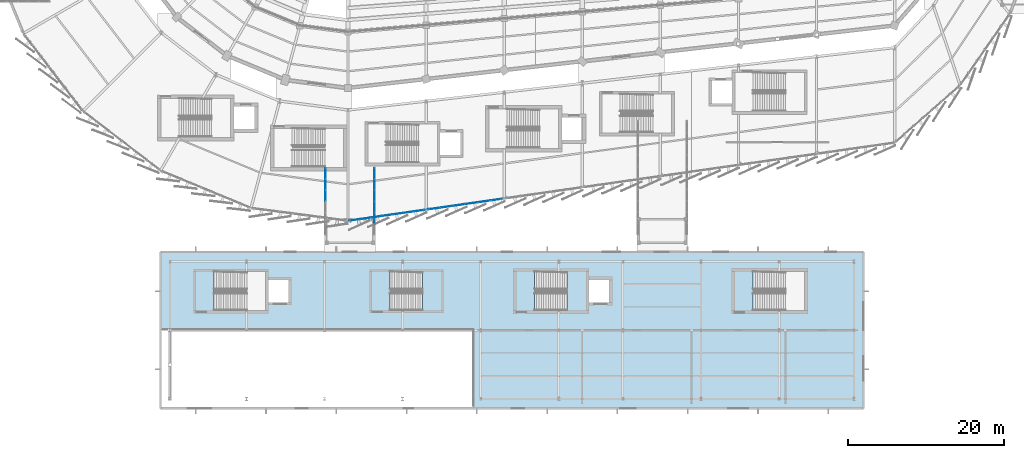
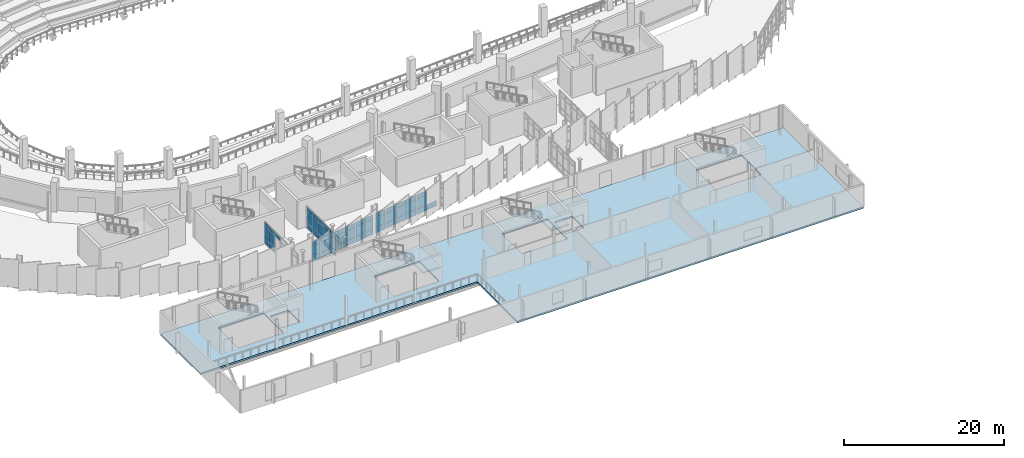
# One storey, part 86 of 134: 59 plates, 3 slabs, 6 elements without a shape of their own.
"""IFC4 building model written with IfcOpenShell, lengths in metres."""

from ifc_helpers import new_model, si_unit, direction, frame, origin, origin_2d, place, context, subcontext, project, spatial, polyline, rectangle, outline, extrude, material, layer, layer_set, type_object, element, aggregate, save


model = new_model("IFC4")

# Units and contexts
model_context = context("Model", 3, precision=1e-05, world=origin(), true_north=direction((0.0, 1.0)))
body_context = subcontext(model_context, "Body", "Model", "MODEL_VIEW")
ifc_project = project(units=[si_unit("LENGTHUNIT", "METRE"), si_unit("AREAUNIT", "SQUARE_METRE"), si_unit("VOLUMEUNIT", "CUBIC_METRE"), si_unit("PLANEANGLEUNIT", "RADIAN"), si_unit("MASSUNIT", "GRAM", prefix="KILO")], contexts=[model_context])

# Site, building, storey
site_placement = place(None, origin())
site = spatial("IfcSite", under=ifc_project, at=site_placement, CompositionType="ELEMENT")
building_placement = place(site_placement, origin())
building = spatial("IfcBuilding", under=site, at=building_placement, Name="Sohan Crest Arena", CompositionType="ELEMENT")
storey_placement = place(building_placement, frame((0.0, 0.0, 4.5)))
storey = spatial("IfcBuildingStorey", under=building, at=storey_placement, Name="L01", CompositionType="ELEMENT", Elevation=4.5)

# Curtain wall, plates
ifc_material_1 = material(Name="Thermally broken anodised aluminium", Category="aluminium")
ifc_layer_1 = layer(ifc_material_1, 0.179931640625, Name="Thermally broken anodised aluminium")
ifc_layer_set_1 = layer_set([ifc_layer_1], Name="Thermally broken anodised aluminium")
curtain_wall_type_1 = type_object("IfcCurtainWallType", Name="ARC-CW01", PredefinedType="NOTDEFINED", material=ifc_layer_set_1)
curtain_wall_1_placement = place(storey_placement, origin())
curtain_wall_1 = element("IfcCurtainWall", 1, at=curtain_wall_1_placement, inside=storey, type_object=curtain_wall_type_1, Name="Unitised curtain wall CW-030", PredefinedType="NOTDEFINED")
ifc_material_2 = material(Name="Low-E double-glazed insulated glass", Category="glass")
ifc_layer_2 = layer(ifc_material_2, 0.028076171875, Name="Low-E double-glazed insulated glass")
ifc_layer_set_2 = layer_set([ifc_layer_2], Name="Low-E double-glazed insulated glass")
plate_type_1 = type_object("IfcPlateType", Name="ARC-CNP01", PredefinedType="CURTAIN_PANEL", material=ifc_layer_set_2)
plate_1_placement = place(storey_placement, frame((98.839599609375, 30.11962890625, 0.06005859375), z_axis=(0.0, 0.0, 1.0), x_axis=(0.989931194722, 0.141549389674, 0.0)))
plate_1 = element("IfcPlate", 2, at=plate_1_placement, type_object=plate_type_1, Name="CW-030 panel 1.1", PredefinedType="CURTAIN_PANEL", context=body_context, shape_type="SweptSolid", body=[
    extrude(rectangle(XDim=1.31591796875, YDim=0.028076171875, at=origin_2d()), origin(), (0.0, 0.0, 1.0), 0.81005859375),
])
plate_2_placement = place(storey_placement, frame((98.839599609375, 30.11962890625, 0.929931640625), z_axis=(0.0, 0.0, 1.0), x_axis=(0.989931194722, 0.141549389674, 0.0)))
plate_2 = element("IfcPlate", 3, at=plate_2_placement, type_object=plate_type_1, Name="CW-030 panel 1.2", PredefinedType="CURTAIN_PANEL", context=body_context, shape_type="SweptSolid", body=[
    extrude(rectangle(XDim=1.31591796875, YDim=0.028076171875, at=origin_2d()), origin(), (0.0, 0.0, 1.0), 1.4599609375),
])
plate_3_placement = place(storey_placement, frame((98.839599609375, 30.11962890625, 2.44970703125), z_axis=(0.0, 0.0, 1.0), x_axis=(0.989931194722, 0.141549389674, 0.0)))
plate_3 = element("IfcPlate", 4, at=plate_3_placement, type_object=plate_type_1, Name="CW-030 panel 1.3", PredefinedType="CURTAIN_PANEL", context=body_context, shape_type="SweptSolid", body=[
    extrude(rectangle(XDim=1.31591796875, YDim=0.028076171875, at=origin_2d()), origin(), (0.0, 0.0, 1.0), 0.610107421875),
])
plate_4_placement = place(storey_placement, frame((100.216552734375, 30.31640625, 0.06005859375), z_axis=(0.0, 0.0, 1.0), x_axis=(0.989931194722, 0.141549389674, 0.0)))
plate_4 = element("IfcPlate", 5, at=plate_4_placement, type_object=plate_type_1, Name="CW-030 panel 2.1", PredefinedType="CURTAIN_PANEL", context=body_context, shape_type="SweptSolid", body=[
    extrude(rectangle(XDim=1.345947265625, YDim=0.028076171875, at=origin_2d()), origin(), (0.0, 0.0, 1.0), 0.81005859375),
])
plate_5_placement = place(storey_placement, frame((100.216552734375, 30.31640625, 0.929931640625), z_axis=(0.0, 0.0, 1.0), x_axis=(0.989931194722, 0.141549389674, 0.0)))
plate_5 = element("IfcPlate", 6, at=plate_5_placement, type_object=plate_type_1, Name="CW-030 panel 2.2", PredefinedType="CURTAIN_PANEL", context=body_context, shape_type="SweptSolid", body=[
    extrude(rectangle(XDim=1.345947265625, YDim=0.028076171875, at=origin_2d()), origin(), (0.0, 0.0, 1.0), 1.4599609375),
])
plate_6_placement = place(storey_placement, frame((100.216552734375, 30.31640625, 2.44970703125), z_axis=(0.0, 0.0, 1.0), x_axis=(0.989931194722, 0.141549389674, 0.0)))
plate_6 = element("IfcPlate", 7, at=plate_6_placement, type_object=plate_type_1, Name="CW-030 panel 2.3", PredefinedType="CURTAIN_PANEL", context=body_context, shape_type="SweptSolid", body=[
    extrude(rectangle(XDim=1.345947265625, YDim=0.028076171875, at=origin_2d()), origin(), (0.0, 0.0, 1.0), 0.610107421875),
])
plate_7_placement = place(storey_placement, frame((101.6083984375, 30.515380859375, 0.06005859375), z_axis=(0.0, 0.0, 1.0), x_axis=(0.989931194722, 0.141549389674, 0.0)))
plate_7 = element("IfcPlate", 8, at=plate_7_placement, type_object=plate_type_1, Name="CW-030 panel 3.1", PredefinedType="CURTAIN_PANEL", context=body_context, shape_type="SweptSolid", body=[
    extrude(rectangle(XDim=1.345947265625, YDim=0.028076171875, at=origin_2d()), origin(), (0.0, 0.0, 1.0), 0.81005859375),
])
plate_8_placement = place(storey_placement, frame((101.6083984375, 30.515380859375, 0.929931640625), z_axis=(0.0, 0.0, 1.0), x_axis=(0.989931194722, 0.141549389674, 0.0)))
plate_8 = element("IfcPlate", 9, at=plate_8_placement, type_object=plate_type_1, Name="CW-030 panel 3.2", PredefinedType="CURTAIN_PANEL", context=body_context, shape_type="SweptSolid", body=[
    extrude(rectangle(XDim=1.345947265625, YDim=0.028076171875, at=origin_2d()), origin(), (0.0, 0.0, 1.0), 1.4599609375),
])
plate_9_placement = place(storey_placement, frame((101.6083984375, 30.515380859375, 2.44970703125), z_axis=(0.0, 0.0, 1.0), x_axis=(0.989931194722, 0.141549389674, 0.0)))
plate_9 = element("IfcPlate", 10, at=plate_9_placement, type_object=plate_type_1, Name="CW-030 panel 3.3", PredefinedType="CURTAIN_PANEL", context=body_context, shape_type="SweptSolid", body=[
    extrude(rectangle(XDim=1.345947265625, YDim=0.028076171875, at=origin_2d()), origin(), (0.0, 0.0, 1.0), 0.610107421875),
])
plate_10_placement = place(storey_placement, frame((103.0, 30.714599609375, 0.06005859375), z_axis=(0.0, 0.0, 1.0), x_axis=(0.989931194722, 0.141549389674, 0.0)))
plate_10 = element("IfcPlate", 11, at=plate_10_placement, type_object=plate_type_1, Name="CW-030 panel 4.1", PredefinedType="CURTAIN_PANEL", context=body_context, shape_type="SweptSolid", body=[
    extrude(rectangle(XDim=1.345947265625, YDim=0.028076171875, at=origin_2d()), origin(), (0.0, 0.0, 1.0), 0.81005859375),
])
plate_11_placement = place(storey_placement, frame((103.0, 30.714599609375, 0.929931640625), z_axis=(0.0, 0.0, 1.0), x_axis=(0.989931194722, 0.141549389674, 0.0)))
plate_11 = element("IfcPlate", 12, at=plate_11_placement, type_object=plate_type_1, Name="CW-030 panel 4.2", PredefinedType="CURTAIN_PANEL", context=body_context, shape_type="SweptSolid", body=[
    extrude(rectangle(XDim=1.345947265625, YDim=0.028076171875, at=origin_2d()), origin(), (0.0, 0.0, 1.0), 1.4599609375),
])
plate_12_placement = place(storey_placement, frame((103.0, 30.714599609375, 2.44970703125), z_axis=(0.0, 0.0, 1.0), x_axis=(0.989931194722, 0.141549389674, 0.0)))
plate_12 = element("IfcPlate", 13, at=plate_12_placement, type_object=plate_type_1, Name="CW-030 panel 4.3", PredefinedType="CURTAIN_PANEL", context=body_context, shape_type="SweptSolid", body=[
    extrude(rectangle(XDim=1.345947265625, YDim=0.028076171875, at=origin_2d()), origin(), (0.0, 0.0, 1.0), 0.610107421875),
])
plate_13_placement = place(storey_placement, frame((104.3916015625, 30.91357421875, 0.06005859375), z_axis=(0.0, 0.0, 1.0), x_axis=(0.989931194722, 0.141549389674, 0.0)))
plate_13 = element("IfcPlate", 14, at=plate_13_placement, type_object=plate_type_1, Name="CW-030 panel 5.1", PredefinedType="CURTAIN_PANEL", context=body_context, shape_type="SweptSolid", body=[
    extrude(rectangle(XDim=1.345947265625, YDim=0.028076171875, at=origin_2d()), origin(), (0.0, 0.0, 1.0), 0.81005859375),
])
plate_14_placement = place(storey_placement, frame((104.3916015625, 30.91357421875, 0.929931640625), z_axis=(0.0, 0.0, 1.0), x_axis=(0.989931194722, 0.141549389674, 0.0)))
plate_14 = element("IfcPlate", 15, at=plate_14_placement, type_object=plate_type_1, Name="CW-030 panel 5.2", PredefinedType="CURTAIN_PANEL", context=body_context, shape_type="SweptSolid", body=[
    extrude(rectangle(XDim=1.345947265625, YDim=0.028076171875, at=origin_2d()), origin(), (0.0, 0.0, 1.0), 1.4599609375),
])
plate_15_placement = place(storey_placement, frame((104.3916015625, 30.91357421875, 2.44970703125), z_axis=(0.0, 0.0, 1.0), x_axis=(0.989931194722, 0.141549389674, 0.0)))
plate_15 = element("IfcPlate", 16, at=plate_15_placement, type_object=plate_type_1, Name="CW-030 panel 5.3", PredefinedType="CURTAIN_PANEL", context=body_context, shape_type="SweptSolid", body=[
    extrude(rectangle(XDim=1.345947265625, YDim=0.028076171875, at=origin_2d()), origin(), (0.0, 0.0, 1.0), 0.610107421875),
])
plate_16_placement = place(storey_placement, frame((105.783447265625, 31.112548828125, 0.06005859375), z_axis=(0.0, 0.0, 1.0), x_axis=(0.989931194722, 0.141549389674, 0.0)))
plate_16 = element("IfcPlate", 17, at=plate_16_placement, type_object=plate_type_1, Name="CW-030 panel 6.1", PredefinedType="CURTAIN_PANEL", context=body_context, shape_type="SweptSolid", body=[
    extrude(rectangle(XDim=1.345947265625, YDim=0.028076171875, at=origin_2d()), origin(), (0.0, 0.0, 1.0), 0.81005859375),
])
plate_17_placement = place(storey_placement, frame((105.783447265625, 31.112548828125, 0.929931640625), z_axis=(0.0, 0.0, 1.0), x_axis=(0.989931194722, 0.141549389674, 0.0)))
plate_17 = element("IfcPlate", 18, at=plate_17_placement, type_object=plate_type_1, Name="CW-030 panel 6.2", PredefinedType="CURTAIN_PANEL", context=body_context, shape_type="SweptSolid", body=[
    extrude(rectangle(XDim=1.345947265625, YDim=0.028076171875, at=origin_2d()), origin(), (0.0, 0.0, 1.0), 1.4599609375),
])
plate_18_placement = place(storey_placement, frame((105.783447265625, 31.112548828125, 2.44970703125), z_axis=(0.0, 0.0, 1.0), x_axis=(0.989931194722, 0.141549389674, 0.0)))
plate_18 = element("IfcPlate", 19, at=plate_18_placement, type_object=plate_type_1, Name="CW-030 panel 6.3", PredefinedType="CURTAIN_PANEL", context=body_context, shape_type="SweptSolid", body=[
    extrude(rectangle(XDim=1.345947265625, YDim=0.028076171875, at=origin_2d()), origin(), (0.0, 0.0, 1.0), 0.610107421875),
])
plate_19_placement = place(storey_placement, frame((107.160400390625, 31.309326171875, 0.06005859375), z_axis=(0.0, 0.0, 1.0), x_axis=(0.989931194722, 0.141549389674, 0.0)))
plate_19 = element("IfcPlate", 20, at=plate_19_placement, type_object=plate_type_1, Name="CW-030 panel 7.1", PredefinedType="CURTAIN_PANEL", context=body_context, shape_type="SweptSolid", body=[
    extrude(rectangle(XDim=1.31591796875, YDim=0.028076171875, at=origin_2d()), origin(), (0.0, 0.0, 1.0), 0.81005859375),
])
plate_20_placement = place(storey_placement, frame((107.160400390625, 31.309326171875, 0.929931640625), z_axis=(0.0, 0.0, 1.0), x_axis=(0.989931194722, 0.141549389674, 0.0)))
plate_20 = element("IfcPlate", 21, at=plate_20_placement, type_object=plate_type_1, Name="CW-030 panel 7.2", PredefinedType="CURTAIN_PANEL", context=body_context, shape_type="SweptSolid", body=[
    extrude(rectangle(XDim=1.31591796875, YDim=0.028076171875, at=origin_2d()), origin(), (0.0, 0.0, 1.0), 1.4599609375),
])
plate_21_placement = place(storey_placement, frame((107.160400390625, 31.309326171875, 2.44970703125), z_axis=(0.0, 0.0, 1.0), x_axis=(0.989931194722, 0.141549389674, 0.0)))
plate_21 = element("IfcPlate", 22, at=plate_21_placement, type_object=plate_type_1, Name="CW-030 panel 7.3", PredefinedType="CURTAIN_PANEL", context=body_context, shape_type="SweptSolid", body=[
    extrude(rectangle(XDim=1.31591796875, YDim=0.028076171875, at=origin_2d()), origin(), (0.0, 0.0, 1.0), 0.610107421875),
])
aggregate(curtain_wall_1, [plate_1, plate_2, plate_3, plate_4, plate_5, plate_6, plate_7, plate_8, plate_9, plate_10, plate_11, plate_12, plate_13, plate_14, plate_15, plate_16, plate_17, plate_18, plate_19, plate_20, plate_21])

ifc_layer_3 = layer(ifc_material_1, 0.18994140625, Name="Thermally broken anodised aluminium")
ifc_layer_set_3 = layer_set([ifc_layer_3], Name="Thermally broken anodised aluminium")
curtain_wall_type_2 = type_object("IfcCurtainWallType", Name="ARC-CW05", PredefinedType="NOTDEFINED", material=ifc_layer_set_3)
curtain_wall_2_placement = place(storey_placement, origin())
curtain_wall_2 = element("IfcCurtainWall", 23, at=curtain_wall_2_placement, inside=storey, type_object=curtain_wall_type_2, Name="Unitised curtain wall CW-249", PredefinedType="NOTDEFINED")
plate_22_placement = place(storey_placement, frame((95.1201171875, 33.216552734375, 2.72998046875), z_axis=(0.0, 0.0, 1.0), x_axis=(0.0, 1.0, 0.0)))
plate_22 = element("IfcPlate", 24, at=plate_22_placement, type_object=plate_type_1, Name="CW-249 panel 4.3", PredefinedType="CURTAIN_PANEL", context=body_context, shape_type="SweptSolid", body=[
    extrude(rectangle(XDim=1.368408203125, YDim=0.028076171875, at=origin_2d()), origin(), (0.0, 0.0, 1.0), 0.610107421875),
])
plate_23_placement = place(storey_placement, frame((95.1201171875, 34.64990234375, 0.06005859375), z_axis=(0.0, 0.0, 1.0), x_axis=(0.0, 1.0, 0.0)))
plate_23 = element("IfcPlate", 25, at=plate_23_placement, type_object=plate_type_1, Name="CW-249 panel 5.1", PredefinedType="CURTAIN_PANEL", context=body_context, shape_type="SweptSolid", body=[
    extrude(rectangle(XDim=1.368408203125, YDim=0.028076171875, at=origin_2d()), origin(), (0.0, 0.0, 1.0), 0.81005859375),
])
plate_24_placement = place(storey_placement, frame((95.1201171875, 34.64990234375, 0.93017578125), z_axis=(0.0, 0.0, 1.0), x_axis=(0.0, 1.0, 0.0)))
plate_24 = element("IfcPlate", 26, at=plate_24_placement, type_object=plate_type_1, Name="CW-249 panel 5.2", PredefinedType="CURTAIN_PANEL", context=body_context, shape_type="SweptSolid", body=[
    extrude(rectangle(XDim=1.368408203125, YDim=0.028076171875, at=origin_2d()), origin(), (0.0, 0.0, 1.0), 1.739990234375),
])
plate_25_placement = place(storey_placement, frame((95.1201171875, 34.64990234375, 2.72998046875), z_axis=(0.0, 0.0, 1.0), x_axis=(0.0, 1.0, 0.0)))
plate_25 = element("IfcPlate", 27, at=plate_25_placement, type_object=plate_type_1, Name="CW-249 panel 5.3", PredefinedType="CURTAIN_PANEL", context=body_context, shape_type="SweptSolid", body=[
    extrude(rectangle(XDim=1.368408203125, YDim=0.028076171875, at=origin_2d()), origin(), (0.0, 0.0, 1.0), 0.610107421875),
])
plate_26_placement = place(storey_placement, frame((95.1201171875, 36.067138671875, 0.06005859375), z_axis=(0.0, 0.0, 1.0), x_axis=(0.0, 1.0, 0.0)))
plate_26 = element("IfcPlate", 28, at=plate_26_placement, type_object=plate_type_1, Name="CW-249 panel 6.1", PredefinedType="CURTAIN_PANEL", context=body_context, shape_type="SweptSolid", body=[
    extrude(rectangle(XDim=1.3359375, YDim=0.028076171875, at=origin_2d()), origin(), (0.0, 0.0, 1.0), 0.81005859375),
])
plate_27_placement = place(storey_placement, frame((95.1201171875, 36.067138671875, 0.93017578125), z_axis=(0.0, 0.0, 1.0), x_axis=(0.0, 1.0, 0.0)))
plate_27 = element("IfcPlate", 29, at=plate_27_placement, type_object=plate_type_1, Name="CW-249 panel 6.2", PredefinedType="CURTAIN_PANEL", context=body_context, shape_type="SweptSolid", body=[
    extrude(rectangle(XDim=1.3359375, YDim=0.028076171875, at=origin_2d()), origin(), (0.0, 0.0, 1.0), 1.739990234375),
])
plate_28_placement = place(storey_placement, frame((95.1201171875, 36.067138671875, 2.72998046875), z_axis=(0.0, 0.0, 1.0), x_axis=(0.0, 1.0, 0.0)))
plate_28 = element("IfcPlate", 30, at=plate_28_placement, type_object=plate_type_1, Name="CW-249 panel 6.3", PredefinedType="CURTAIN_PANEL", context=body_context, shape_type="SweptSolid", body=[
    extrude(rectangle(XDim=1.3359375, YDim=0.028076171875, at=origin_2d()), origin(), (0.0, 0.0, 1.0), 0.610107421875),
])
aggregate(curtain_wall_2, [plate_22, plate_23, plate_24, plate_25, plate_26, plate_27, plate_28])

curtain_wall_3_placement = place(storey_placement, origin())
curtain_wall_3 = element("IfcCurtainWall", 31, at=curtain_wall_3_placement, inside=storey, type_object=curtain_wall_type_2, Name="Unitised curtain wall CW-250", PredefinedType="NOTDEFINED")
plate_29_placement = place(storey_placement, frame((101.3798828125, 30.35009765625, 0.06005859375), z_axis=(0.0, 0.0, 1.0), x_axis=(0.0, 1.0, 0.0)))
plate_29 = element("IfcPlate", 32, at=plate_29_placement, type_object=plate_type_1, Name="CW-250 panel 2.1", PredefinedType="CURTAIN_PANEL", context=body_context, shape_type="SweptSolid", body=[
    extrude(rectangle(XDim=1.368408203125, YDim=0.028076171875, at=origin_2d()), origin(), (0.0, 0.0, 1.0), 0.81005859375),
])
plate_30_placement = place(storey_placement, frame((101.3798828125, 30.35009765625, 0.93017578125), z_axis=(0.0, 0.0, 1.0), x_axis=(0.0, 1.0, 0.0)))
plate_30 = element("IfcPlate", 33, at=plate_30_placement, type_object=plate_type_1, Name="CW-250 panel 2.2", PredefinedType="CURTAIN_PANEL", context=body_context, shape_type="SweptSolid", body=[
    extrude(rectangle(XDim=1.368408203125, YDim=0.028076171875, at=origin_2d()), origin(), (0.0, 0.0, 1.0), 1.739990234375),
])
plate_31_placement = place(storey_placement, frame((101.3798828125, 30.35009765625, 2.72998046875), z_axis=(0.0, 0.0, 1.0), x_axis=(0.0, 1.0, 0.0)))
plate_31 = element("IfcPlate", 34, at=plate_31_placement, type_object=plate_type_1, Name="CW-250 panel 2.3", PredefinedType="CURTAIN_PANEL", context=body_context, shape_type="SweptSolid", body=[
    extrude(rectangle(XDim=1.368408203125, YDim=0.028076171875, at=origin_2d()), origin(), (0.0, 0.0, 1.0), 0.610107421875),
])
plate_32_placement = place(storey_placement, frame((101.3798828125, 31.783447265625, 0.06005859375), z_axis=(0.0, 0.0, 1.0), x_axis=(0.0, 1.0, 0.0)))
plate_32 = element("IfcPlate", 35, at=plate_32_placement, type_object=plate_type_1, Name="CW-250 panel 3.1", PredefinedType="CURTAIN_PANEL", context=body_context, shape_type="SweptSolid", body=[
    extrude(rectangle(XDim=1.368408203125, YDim=0.028076171875, at=origin_2d()), origin(), (0.0, 0.0, 1.0), 0.81005859375),
])
plate_33_placement = place(storey_placement, frame((101.3798828125, 31.783447265625, 0.93017578125), z_axis=(0.0, 0.0, 1.0), x_axis=(0.0, 1.0, 0.0)))
plate_33 = element("IfcPlate", 36, at=plate_33_placement, type_object=plate_type_1, Name="CW-250 panel 3.2", PredefinedType="CURTAIN_PANEL", context=body_context, shape_type="SweptSolid", body=[
    extrude(rectangle(XDim=1.368408203125, YDim=0.028076171875, at=origin_2d()), origin(), (0.0, 0.0, 1.0), 1.739990234375),
])
plate_34_placement = place(storey_placement, frame((101.3798828125, 31.783447265625, 2.72998046875), z_axis=(0.0, 0.0, 1.0), x_axis=(0.0, 1.0, 0.0)))
plate_34 = element("IfcPlate", 37, at=plate_34_placement, type_object=plate_type_1, Name="CW-250 panel 3.3", PredefinedType="CURTAIN_PANEL", context=body_context, shape_type="SweptSolid", body=[
    extrude(rectangle(XDim=1.368408203125, YDim=0.028076171875, at=origin_2d()), origin(), (0.0, 0.0, 1.0), 0.610107421875),
])
plate_35_placement = place(storey_placement, frame((101.3798828125, 33.216552734375, 0.06005859375), z_axis=(0.0, 0.0, 1.0), x_axis=(0.0, 1.0, 0.0)))
plate_35 = element("IfcPlate", 38, at=plate_35_placement, type_object=plate_type_1, Name="CW-250 panel 4.1", PredefinedType="CURTAIN_PANEL", context=body_context, shape_type="SweptSolid", body=[
    extrude(rectangle(XDim=1.368408203125, YDim=0.028076171875, at=origin_2d()), origin(), (0.0, 0.0, 1.0), 0.81005859375),
])
plate_36_placement = place(storey_placement, frame((101.3798828125, 33.216552734375, 0.93017578125), z_axis=(0.0, 0.0, 1.0), x_axis=(0.0, 1.0, 0.0)))
plate_36 = element("IfcPlate", 39, at=plate_36_placement, type_object=plate_type_1, Name="CW-250 panel 4.2", PredefinedType="CURTAIN_PANEL", context=body_context, shape_type="SweptSolid", body=[
    extrude(rectangle(XDim=1.368408203125, YDim=0.028076171875, at=origin_2d()), origin(), (0.0, 0.0, 1.0), 1.739990234375),
])
plate_37_placement = place(storey_placement, frame((101.3798828125, 33.216552734375, 2.72998046875), z_axis=(0.0, 0.0, 1.0), x_axis=(0.0, 1.0, 0.0)))
plate_37 = element("IfcPlate", 40, at=plate_37_placement, type_object=plate_type_1, Name="CW-250 panel 4.3", PredefinedType="CURTAIN_PANEL", context=body_context, shape_type="SweptSolid", body=[
    extrude(rectangle(XDim=1.368408203125, YDim=0.028076171875, at=origin_2d()), origin(), (0.0, 0.0, 1.0), 0.610107421875),
])
plate_38_placement = place(storey_placement, frame((101.3798828125, 34.64990234375, 0.06005859375), z_axis=(0.0, 0.0, 1.0), x_axis=(0.0, 1.0, 0.0)))
plate_38 = element("IfcPlate", 41, at=plate_38_placement, type_object=plate_type_1, Name="CW-250 panel 5.1", PredefinedType="CURTAIN_PANEL", context=body_context, shape_type="SweptSolid", body=[
    extrude(rectangle(XDim=1.368408203125, YDim=0.028076171875, at=origin_2d()), origin(), (0.0, 0.0, 1.0), 0.81005859375),
])
plate_39_placement = place(storey_placement, frame((101.3798828125, 34.64990234375, 0.93017578125), z_axis=(0.0, 0.0, 1.0), x_axis=(0.0, 1.0, 0.0)))
plate_39 = element("IfcPlate", 42, at=plate_39_placement, type_object=plate_type_1, Name="CW-250 panel 5.2", PredefinedType="CURTAIN_PANEL", context=body_context, shape_type="SweptSolid", body=[
    extrude(rectangle(XDim=1.368408203125, YDim=0.028076171875, at=origin_2d()), origin(), (0.0, 0.0, 1.0), 1.739990234375),
])
plate_40_placement = place(storey_placement, frame((101.3798828125, 34.64990234375, 2.72998046875), z_axis=(0.0, 0.0, 1.0), x_axis=(0.0, 1.0, 0.0)))
plate_40 = element("IfcPlate", 43, at=plate_40_placement, type_object=plate_type_1, Name="CW-250 panel 5.3", PredefinedType="CURTAIN_PANEL", context=body_context, shape_type="SweptSolid", body=[
    extrude(rectangle(XDim=1.368408203125, YDim=0.028076171875, at=origin_2d()), origin(), (0.0, 0.0, 1.0), 0.610107421875),
])
plate_41_placement = place(storey_placement, frame((101.3798828125, 36.067138671875, 0.06005859375), z_axis=(0.0, 0.0, 1.0), x_axis=(0.0, 1.0, 0.0)))
plate_41 = element("IfcPlate", 44, at=plate_41_placement, type_object=plate_type_1, Name="CW-250 panel 6.1", PredefinedType="CURTAIN_PANEL", context=body_context, shape_type="SweptSolid", body=[
    extrude(rectangle(XDim=1.3359375, YDim=0.028076171875, at=origin_2d()), origin(), (0.0, 0.0, 1.0), 0.81005859375),
])
plate_42_placement = place(storey_placement, frame((101.3798828125, 36.067138671875, 0.93017578125), z_axis=(0.0, 0.0, 1.0), x_axis=(0.0, 1.0, 0.0)))
plate_42 = element("IfcPlate", 45, at=plate_42_placement, type_object=plate_type_1, Name="CW-250 panel 6.2", PredefinedType="CURTAIN_PANEL", context=body_context, shape_type="SweptSolid", body=[
    extrude(rectangle(XDim=1.3359375, YDim=0.028076171875, at=origin_2d()), origin(), (0.0, 0.0, 1.0), 1.739990234375),
])
plate_43_placement = place(storey_placement, frame((101.3798828125, 36.067138671875, 2.72998046875), z_axis=(0.0, 0.0, 1.0), x_axis=(0.0, 1.0, 0.0)))
plate_43 = element("IfcPlate", 46, at=plate_43_placement, type_object=plate_type_1, Name="CW-250 panel 6.3", PredefinedType="CURTAIN_PANEL", context=body_context, shape_type="SweptSolid", body=[
    extrude(rectangle(XDim=1.3359375, YDim=0.028076171875, at=origin_2d()), origin(), (0.0, 0.0, 1.0), 0.610107421875),
])
aggregate(curtain_wall_3, [plate_29, plate_30, plate_31, plate_32, plate_33, plate_34, plate_35, plate_36, plate_37, plate_38, plate_39, plate_40, plate_41, plate_42, plate_43])

ifc_layer_4 = layer(ifc_material_1, 0.199951171875, Name="Thermally broken anodised aluminium")
ifc_layer_set_4 = layer_set([ifc_layer_4], Name="Thermally broken anodised aluminium")
curtain_wall_type_3 = type_object("IfcCurtainWallType", Name="ARC-CW02", PredefinedType="NOTDEFINED", material=ifc_layer_set_4)
curtain_wall_4_placement = place(storey_placement, origin())
curtain_wall_4 = element("IfcCurtainWall", 47, at=curtain_wall_4_placement, inside=storey, type_object=curtain_wall_type_3, Name="Unitised curtain wall CW-031", PredefinedType="NOTDEFINED")
ifc_layer_5 = layer(ifc_material_2, 0.031982421875, Name="Low-E double-glazed insulated glass")
ifc_layer_set_5 = layer_set([ifc_layer_5], Name="Low-E double-glazed insulated glass")
plate_type_2 = type_object("IfcPlateType", Name="ARC-CNP02", PredefinedType="CURTAIN_PANEL", material=ifc_layer_set_5)
plate_44_placement = place(storey_placement, frame((108.95703125, 31.565185546875, 0.06494140625), z_axis=(0.0, 0.0, 1.0), x_axis=(0.989945428602, 0.141449808729, 0.0)))
plate_44 = element("IfcPlate", 48, at=plate_44_placement, type_object=plate_type_2, Name="CW-031 panel 1.1", PredefinedType="CURTAIN_PANEL", context=body_context, shape_type="SweptSolid", body=[
    extrude(rectangle(XDim=1.542724609375, YDim=0.031982421875, at=origin_2d()), origin(), (0.0, 0.0, 1.0), 0.802490234375),
])
plate_45_placement = place(storey_placement, frame((108.95703125, 31.565185546875, 0.932373046875), z_axis=(0.0, 0.0, 1.0), x_axis=(0.989945428602, 0.141449808729, 0.0)))
plate_45 = element("IfcPlate", 49, at=plate_45_placement, type_object=plate_type_2, Name="CW-031 panel 1.2", PredefinedType="CURTAIN_PANEL", context=body_context, shape_type="SweptSolid", body=[
    extrude(rectangle(XDim=1.542724609375, YDim=0.031982421875, at=origin_2d()), origin(), (0.0, 0.0, 1.0), 1.455078125),
])
plate_46_placement = place(storey_placement, frame((108.95703125, 31.565185546875, 2.452392578125), z_axis=(0.0, 0.0, 1.0), x_axis=(0.989945428602, 0.141449808729, 0.0)))
plate_46 = element("IfcPlate", 50, at=plate_46_placement, type_object=plate_type_2, Name="CW-031 panel 1.3", PredefinedType="CURTAIN_PANEL", context=body_context, shape_type="SweptSolid", body=[
    extrude(rectangle(XDim=1.542724609375, YDim=0.031982421875, at=origin_2d()), origin(), (0.0, 0.0, 1.0), 0.6025390625),
])
plate_47_placement = place(storey_placement, frame((110.564453125, 31.794921875, 0.06494140625), z_axis=(0.0, 0.0, 1.0), x_axis=(0.989945428602, 0.141449808729, 0.0)))
plate_47 = element("IfcPlate", 51, at=plate_47_placement, type_object=plate_type_2, Name="CW-031 panel 2.1", PredefinedType="CURTAIN_PANEL", context=body_context, shape_type="SweptSolid", body=[
    extrude(rectangle(XDim=1.5751953125, YDim=0.031982421875, at=origin_2d()), origin(), (0.0, 0.0, 1.0), 0.802490234375),
])
plate_48_placement = place(storey_placement, frame((110.564453125, 31.794921875, 0.932373046875), z_axis=(0.0, 0.0, 1.0), x_axis=(0.989945428602, 0.141449808729, 0.0)))
plate_48 = element("IfcPlate", 52, at=plate_48_placement, type_object=plate_type_2, Name="CW-031 panel 2.2", PredefinedType="CURTAIN_PANEL", context=body_context, shape_type="SweptSolid", body=[
    extrude(rectangle(XDim=1.5751953125, YDim=0.031982421875, at=origin_2d()), origin(), (0.0, 0.0, 1.0), 1.455078125),
])
plate_49_placement = place(storey_placement, frame((110.564453125, 31.794921875, 2.452392578125), z_axis=(0.0, 0.0, 1.0), x_axis=(0.989945428602, 0.141449808729, 0.0)))
plate_49 = element("IfcPlate", 53, at=plate_49_placement, type_object=plate_type_2, Name="CW-031 panel 2.3", PredefinedType="CURTAIN_PANEL", context=body_context, shape_type="SweptSolid", body=[
    extrude(rectangle(XDim=1.5751953125, YDim=0.031982421875, at=origin_2d()), origin(), (0.0, 0.0, 1.0), 0.6025390625),
])
plate_50_placement = place(storey_placement, frame((112.188232421875, 32.027099609375, 0.06494140625), z_axis=(0.0, 0.0, 1.0), x_axis=(0.989945428602, 0.141449808729, 0.0)))
plate_50 = element("IfcPlate", 54, at=plate_50_placement, type_object=plate_type_2, Name="CW-031 panel 3.1", PredefinedType="CURTAIN_PANEL", context=body_context, shape_type="SweptSolid", body=[
    extrude(rectangle(XDim=1.5751953125, YDim=0.031982421875, at=origin_2d()), origin(), (0.0, 0.0, 1.0), 0.802490234375),
])
plate_51_placement = place(storey_placement, frame((112.188232421875, 32.027099609375, 0.932373046875), z_axis=(0.0, 0.0, 1.0), x_axis=(0.989945428602, 0.141449808729, 0.0)))
plate_51 = element("IfcPlate", 55, at=plate_51_placement, type_object=plate_type_2, Name="CW-031 panel 3.2", PredefinedType="CURTAIN_PANEL", context=body_context, shape_type="SweptSolid", body=[
    extrude(rectangle(XDim=1.5751953125, YDim=0.031982421875, at=origin_2d()), origin(), (0.0, 0.0, 1.0), 1.455078125),
])
plate_52_placement = place(storey_placement, frame((112.188232421875, 32.027099609375, 2.452392578125), z_axis=(0.0, 0.0, 1.0), x_axis=(0.989945428602, 0.141449808729, 0.0)))
plate_52 = element("IfcPlate", 56, at=plate_52_placement, type_object=plate_type_2, Name="CW-031 panel 3.3", PredefinedType="CURTAIN_PANEL", context=body_context, shape_type="SweptSolid", body=[
    extrude(rectangle(XDim=1.5751953125, YDim=0.031982421875, at=origin_2d()), origin(), (0.0, 0.0, 1.0), 0.6025390625),
])
plate_53_placement = place(storey_placement, frame((113.811767578125, 32.259033203125, 0.06494140625), z_axis=(0.0, 0.0, 1.0), x_axis=(0.989945428602, 0.141449808729, 0.0)))
plate_53 = element("IfcPlate", 57, at=plate_53_placement, type_object=plate_type_2, Name="CW-031 panel 4.1", PredefinedType="CURTAIN_PANEL", context=body_context, shape_type="SweptSolid", body=[
    extrude(rectangle(XDim=1.5751953125, YDim=0.031982421875, at=origin_2d()), origin(), (0.0, 0.0, 1.0), 0.802490234375),
])
plate_54_placement = place(storey_placement, frame((113.811767578125, 32.259033203125, 0.932373046875), z_axis=(0.0, 0.0, 1.0), x_axis=(0.989945428602, 0.141449808729, 0.0)))
plate_54 = element("IfcPlate", 58, at=plate_54_placement, type_object=plate_type_2, Name="CW-031 panel 4.2", PredefinedType="CURTAIN_PANEL", context=body_context, shape_type="SweptSolid", body=[
    extrude(rectangle(XDim=1.5751953125, YDim=0.031982421875, at=origin_2d()), origin(), (0.0, 0.0, 1.0), 1.455078125),
])
plate_55_placement = place(storey_placement, frame((113.811767578125, 32.259033203125, 2.452392578125), z_axis=(0.0, 0.0, 1.0), x_axis=(0.989945428602, 0.141449808729, 0.0)))
plate_55 = element("IfcPlate", 59, at=plate_55_placement, type_object=plate_type_2, Name="CW-031 panel 4.3", PredefinedType="CURTAIN_PANEL", context=body_context, shape_type="SweptSolid", body=[
    extrude(rectangle(XDim=1.5751953125, YDim=0.031982421875, at=origin_2d()), origin(), (0.0, 0.0, 1.0), 0.6025390625),
])
plate_56_placement = place(storey_placement, frame((115.435546875, 32.490966796875, 0.06494140625), z_axis=(0.0, 0.0, 1.0), x_axis=(0.989945428602, 0.141449808729, 0.0)))
plate_56 = element("IfcPlate", 60, at=plate_56_placement, type_object=plate_type_2, Name="CW-031 panel 5.1", PredefinedType="CURTAIN_PANEL", context=body_context, shape_type="SweptSolid", body=[
    extrude(rectangle(XDim=1.5751953125, YDim=0.031982421875, at=origin_2d()), origin(), (0.0, 0.0, 1.0), 0.802490234375),
])
plate_57_placement = place(storey_placement, frame((115.435546875, 32.490966796875, 0.932373046875), z_axis=(0.0, 0.0, 1.0), x_axis=(0.989945428602, 0.141449808729, 0.0)))
plate_57 = element("IfcPlate", 61, at=plate_57_placement, type_object=plate_type_2, Name="CW-031 panel 5.2", PredefinedType="CURTAIN_PANEL", context=body_context, shape_type="SweptSolid", body=[
    extrude(rectangle(XDim=1.5751953125, YDim=0.031982421875, at=origin_2d()), origin(), (0.0, 0.0, 1.0), 1.455078125),
])
plate_58_placement = place(storey_placement, frame((115.435546875, 32.490966796875, 2.452392578125), z_axis=(0.0, 0.0, 1.0), x_axis=(0.989945428602, 0.141449808729, 0.0)))
plate_58 = element("IfcPlate", 62, at=plate_58_placement, type_object=plate_type_2, Name="CW-031 panel 5.3", PredefinedType="CURTAIN_PANEL", context=body_context, shape_type="SweptSolid", body=[
    extrude(rectangle(XDim=1.5751953125, YDim=0.031982421875, at=origin_2d()), origin(), (0.0, 0.0, 1.0), 0.6025390625),
])
plate_59_placement = place(storey_placement, frame((117.04296875, 32.720703125, 0.06494140625), z_axis=(0.0, 0.0, 1.0), x_axis=(0.989945428602, 0.141449808729, 0.0)))
plate_59 = element("IfcPlate", 63, at=plate_59_placement, type_object=plate_type_2, Name="CW-031 panel 6.1", PredefinedType="CURTAIN_PANEL", context=body_context, shape_type="SweptSolid", body=[
    extrude(rectangle(XDim=1.542724609375, YDim=0.031982421875, at=origin_2d()), origin(), (0.0, 0.0, 1.0), 0.802490234375),
])
aggregate(curtain_wall_4, [plate_44, plate_45, plate_46, plate_47, plate_48, plate_49, plate_50, plate_51, plate_52, plate_53, plate_54, plate_55, plate_56, plate_57, plate_58, plate_59])

# Slab
ifc_material_3 = material(Name="Concrete C40/50", Category="concrete")
ifc_layer_6 = layer(ifc_material_3, 0.25, Name="Concrete C40/50")
ifc_layer_set_6 = layer_set([ifc_layer_6], Name="Concrete C40/50")
slab_type_1 = type_object("IfcSlabType", Name="SL-FLR3", PredefinedType="FLOOR", material=ifc_layer_set_6)
slab_1_placement = place(storey_placement, frame((0.0, 0.0, -0.25)))
element("IfcSlab", 64, at=slab_1_placement, inside=storey, type_object=slab_type_1, Name="BOH wing L01 floor slab SL-L01-V5", PredefinedType="FLOOR", context=body_context, shape_type="SweptSolid", body=[
    extrude(outline(polyline([(74.0, 16.0), (74.0, 26.0), (164.0, 26.0), (164.0, 6.0), (114.0, 6.0), (114.0, 16.0), (74.0, 16.0)]), holes=[polyline([(149.8701171875, 23.5), (149.8701171875, 18.5), (156.449951171875, 18.5), (156.449951171875, 23.5), (149.8701171875, 23.5)]), polyline([(109.949951171875, 23.5), (103.3701171875, 23.5), (103.3701171875, 18.5), (109.949951171875, 18.5), (109.949951171875, 23.5)]), polyline([(87.449951171875, 18.5), (87.449951171875, 23.5), (80.8701171875, 23.5), (80.8701171875, 18.5), (87.449951171875, 18.5)]), polyline([(87.800048828125, 19.550048828125), (90.39990234375, 19.550048828125), (90.39990234375, 22.449951171875), (87.800048828125, 22.449951171875), (87.800048828125, 19.550048828125)]), polyline([(121.8701171875, 23.5), (121.8701171875, 18.5), (128.449951171875, 18.5), (128.449951171875, 23.5), (121.8701171875, 23.5)]), polyline([(131.449951171875, 22.449951171875), (128.85009765625, 22.449951171875), (128.85009765625, 19.550048828125), (131.449951171875, 19.550048828125), (131.449951171875, 22.449951171875)])]), origin(), (0.0, 0.0, 1.0), 0.25),
])

# Stair, slab
stair_type = type_object("IfcStairType", Name="ST-450W", PredefinedType="TWO_STRAIGHT_RUN_STAIR", material=ifc_material_3)
stair_1_placement = place(storey_placement, origin())
stair_1 = element("IfcStair", 65, at=stair_1_placement, inside=storey, type_object=stair_type, Name="Protected exit stair ST12-L01", PredefinedType="TWO_STRAIGHT_RUN_STAIR")
ifc_layer_7 = layer(ifc_material_3, 0.199951171875, Name="Concrete C40/50")
ifc_layer_set_7 = layer_set([ifc_layer_7], Name="Concrete C40/50")
slab_type_2 = type_object("IfcSlabType", Name="SL-LND1", PredefinedType="LANDING", material=ifc_layer_set_7)
slab_2_placement = place(storey_placement, frame((0.0, 0.0, 2.050048828125)))
slab_2 = element("IfcSlab", 66, at=slab_2_placement, type_object=slab_type_2, Name="ST12-L01 landing 1", PredefinedType="LANDING", context=body_context, shape_type="SweptSolid", body=[
    extrude(outline(polyline([(107.530029296875, 18.35009765625), (110.10009765625, 18.35009765625), (110.10009765625, 23.64990234375), (107.530029296875, 23.64990234375), (107.530029296875, 18.35009765625)])), origin(), (0.0, 0.0, 1.0), 0.199951171875),
])
aggregate(stair_1, [slab_2])

stair_2_placement = place(storey_placement, origin())
stair_2 = element("IfcStair", 67, at=stair_2_placement, inside=storey, type_object=stair_type, Name="Protected exit stair ST18-L01", PredefinedType="TWO_STRAIGHT_RUN_STAIR")
slab_3_placement = place(storey_placement, frame((0.0, 0.0, 2.050048828125)))
slab_3 = element("IfcSlab", 68, at=slab_3_placement, type_object=slab_type_2, Name="ST18-L01 landing 1", PredefinedType="LANDING", context=body_context, shape_type="SweptSolid", body=[
    extrude(outline(polyline([(126.030029296875, 18.35009765625), (128.60009765625, 18.35009765625), (128.60009765625, 23.64990234375), (126.030029296875, 23.64990234375), (126.030029296875, 18.35009765625)])), origin(), (0.0, 0.0, 1.0), 0.199951171875),
])
aggregate(stair_2, [slab_3])

save(model, "model.ifc")
